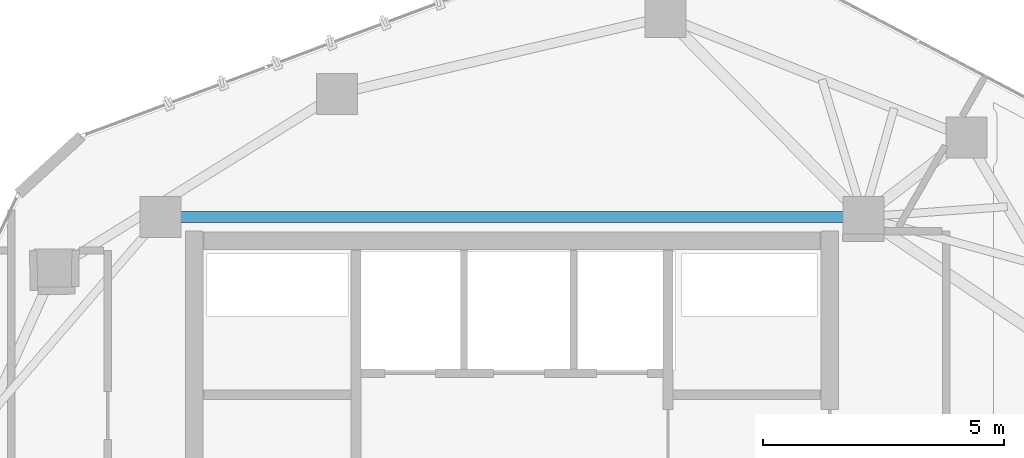
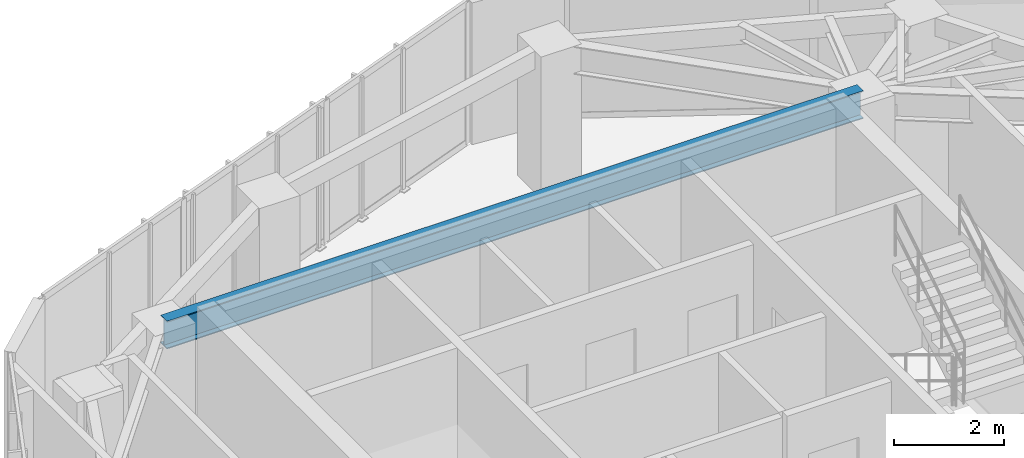
# One storey, part 10 of 20: 1 beam.
"""IFC4 building model written with IfcOpenShell, lengths in metres."""

from ifc_helpers import new_model, si_unit, direction, frame, origin, origin_2d, place, context, subcontext, project, spatial, i_section, extrude, material, material_profile, profile_set, type_object, element, save


model = new_model("IFC4")

# Units and contexts
model_context = context("Model", 3, precision=1e-05, world=origin(), true_north=direction((0.0, 1.0)))
body_context = subcontext(model_context, "Body", "Model", "MODEL_VIEW")
ifc_project = project(units=[si_unit("LENGTHUNIT", "METRE"), si_unit("AREAUNIT", "SQUARE_METRE"), si_unit("VOLUMEUNIT", "CUBIC_METRE"), si_unit("PLANEANGLEUNIT", "RADIAN"), si_unit("MASSUNIT", "GRAM", prefix="KILO")], contexts=[model_context])

# Site, building, storey
site_placement = place(None, origin())
site = spatial("IfcSite", under=ifc_project, at=site_placement, CompositionType="ELEMENT")
building_placement = place(site_placement, origin())
building = spatial("IfcBuilding", under=site, at=building_placement, Name="Talar Marvaseh", CompositionType="ELEMENT")
storey_placement = place(building_placement, frame((0.0, 0.0, 281.60009765625)))
storey = spatial("IfcBuildingStorey", under=building, at=storey_placement, Name="L75", CompositionType="ELEMENT", Elevation=281.60009765625)

# Beam
ifc_material = material(Name="Steel S355", Category="steel")
ifc_material_profile = material_profile(ifc_material, i_section(OverallWidth=0.22998046875, OverallDepth=0.616943359375, WebThickness=0.01318359375, FlangeThickness=0.022216796875, at=origin_2d()), Name="W610x140")
ifc_profile_set = profile_set([ifc_material_profile], Name="Steel S355")
beam_type = type_object("IfcBeamType", Name="Zone 4 Radial Floor Girder W610x140", PredefinedType="BEAM", material=ifc_profile_set)
beam_placement = place(storey_placement, frame((18.699951171875, 36.89990234375, 2.831298828125), z_axis=(1.0, 0.0, 0.0), x_axis=(0.0, 1.0, 0.0)))
element("IfcBeam", 1, at=beam_placement, inside=storey, type_object=beam_type, Name="L75 Zone 4 Radial Floor Girder W610x140", PredefinedType="BEAM", context=body_context, shape_type="SweptSolid", body=[
    extrude(i_section(OverallWidth=0.22998046875, OverallDepth=0.616943359375, WebThickness=0.01318359375, FlangeThickness=0.022216796875, at=origin_2d()), origin(), (0.0, 0.0, 1.0), 14.60009765625),
])

save(model, "model.ifc")
